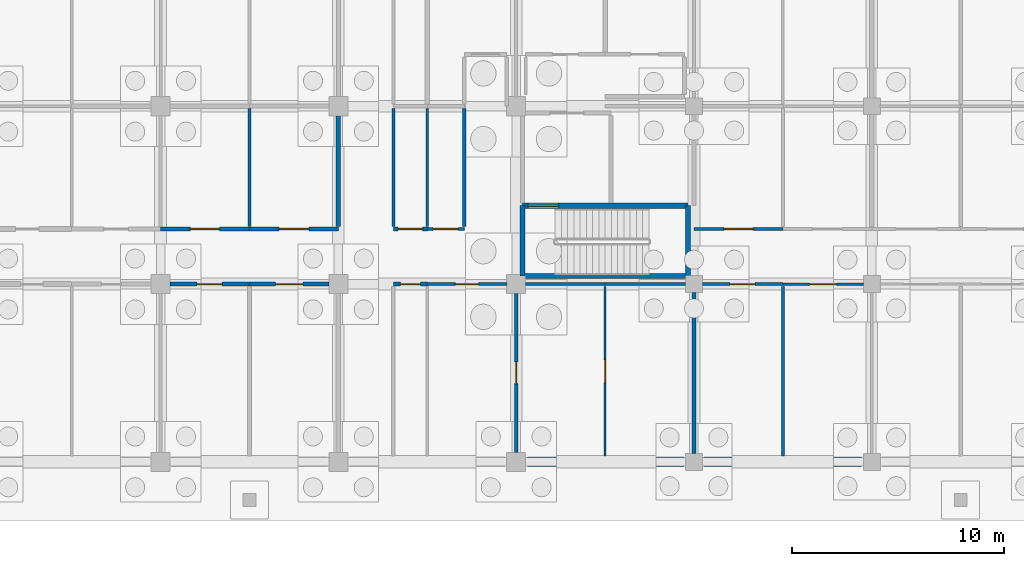
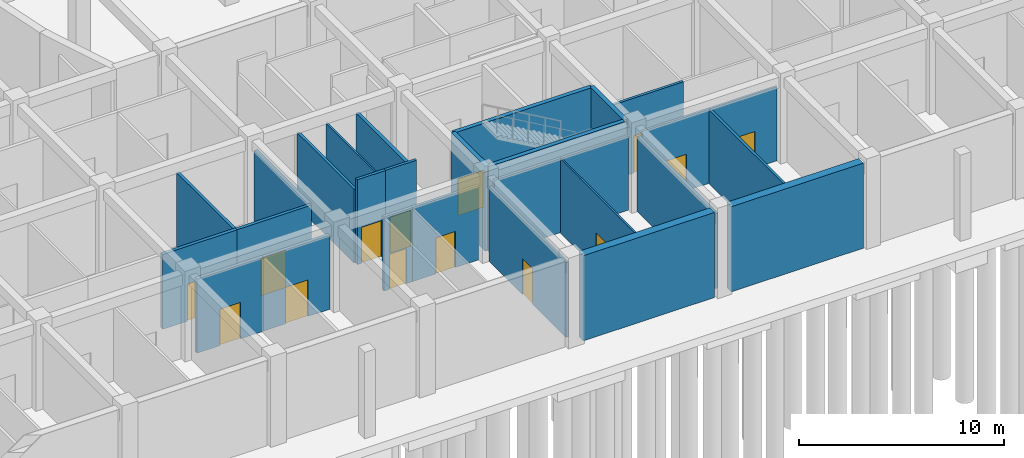
# One storey, part 45 of 65: 28 walls, 14 doors, 14 openings.
"""IFC4 building model written with IfcOpenShell, lengths in metres."""

from ifc_helpers import new_model, si_unit, direction, frame, frame_2d, origin, place, context, subcontext, project, spatial, rectangle, extrude, material, layer, layer_set, type_object, element, fill, save


model = new_model("IFC4")

# Units and contexts
model_context = context("Model", 3, precision=1e-05, world=origin(), true_north=direction((0.0, 1.0)))
body_context = subcontext(model_context, "Body", "Model", "MODEL_VIEW")
ifc_project = project(units=[si_unit("LENGTHUNIT", "METRE"), si_unit("AREAUNIT", "SQUARE_METRE"), si_unit("VOLUMEUNIT", "CUBIC_METRE"), si_unit("PLANEANGLEUNIT", "RADIAN"), si_unit("MASSUNIT", "GRAM", prefix="KILO")], contexts=[model_context])

# Site, building, storey
site_placement = place(None, origin())
site = spatial("IfcSite", under=ifc_project, at=site_placement, CompositionType="ELEMENT")
building_placement = place(site_placement, origin())
building = spatial("IfcBuilding", under=site, at=building_placement, Name="Bramfleet General Hospital", CompositionType="ELEMENT")
storey_placement = place(building_placement, frame((0.0, 0.0, -5.39990234375)))
storey = spatial("IfcBuildingStorey", under=building, at=storey_placement, Name="B1", CompositionType="ELEMENT", Elevation=-5.39990234375)

# Walls
ifc_material_1 = material(Name="Concrete C35/45", Category="concrete")
ifc_layer_1 = layer(ifc_material_1, 0.449951171875, Name="WT-EW-01")
ifc_layer_set_1 = layer_set([ifc_layer_1], Name="Concrete C35/45")
wall_type_1 = type_object("IfcWallType", Name="WT-EW-01", PredefinedType="SOLIDWALL", material=ifc_layer_set_1)
wall_1_placement = place(storey_placement, frame((159.125, 0.0, 0.0), z_axis=(0.0, 0.0, 1.0), x_axis=(-1.0, 0.0, 0.0)))
element("IfcWall", 1, at=wall_1_placement, inside=storey, type_object=wall_type_1, Name="B1 Waterproof Retaining Wall 67", PredefinedType="SOLIDWALL", context=body_context, shape_type="SweptSolid", body=[
    extrude(rectangle(XDim=7.449951171875, YDim=0.449951171875, at=frame_2d((3.72509765625, 0.0))), origin(), (0.0, 0.0, 1.0), 5.079833984375),
])
wall_2_placement = place(storey_placement, frame((150.72509765625, 0.0, 0.0), z_axis=(0.0, 0.0, 1.0), x_axis=(-1.0, 0.0, 0.0)))
element("IfcWall", 2, at=wall_2_placement, inside=storey, type_object=wall_type_1, Name="B1 Waterproof Retaining Wall 68", PredefinedType="SOLIDWALL", context=body_context, shape_type="SweptSolid", body=[
    extrude(rectangle(XDim=7.400146484375, YDim=0.449951171875, at=frame_2d((3.7001953125, 0.0))), origin(), (0.0, 0.0, 1.0), 5.079833984375),
])
ifc_layer_2 = layer(ifc_material_1, 0.205078125, Name="WT-IW-02")
ifc_layer_set_2 = layer_set([ifc_layer_2], Name="Concrete C35/45")
wall_type_2 = type_object("IfcWallType", Name="WT-IW-02", PredefinedType="PARTITIONING", material=ifc_layer_set_2)
wall_3_placement = place(storey_placement, frame((134.39990234375, 11.114990234375, 0.0), z_axis=(0.0, 0.0, 1.0), x_axis=(0.0, 1.0, 0.0)))
element("IfcWall", 3, at=wall_3_placement, inside=storey, type_object=wall_type_2, Name="B1 Interior Partition IW-B1-0554", PredefinedType="PARTITIONING", context=body_context, shape_type="SweptSolid", body=[
    extrude(rectangle(XDim=5.239990234375, YDim=0.205078125, at=frame_2d((2.6201171875, 0.0))), origin(), (0.0, 0.0, 1.0), 4.469970703125),
])

# Wall, opening, door
ifc_layer_3 = layer(ifc_material_1, 0.18994140625, Name="WT-IW-03")
ifc_layer_set_3 = layer_set([ifc_layer_3], Name="Concrete C35/45")
wall_type_3 = type_object("IfcWallType", Name="WT-IW-03", PredefinedType="PARTITIONING", material=ifc_layer_set_3)
wall_4_placement = place(storey_placement, frame((126.445068359375, 8.39990234375, 0.0), z_axis=(0.0, 0.0, 1.0), x_axis=(1.0, 0.0, 0.0)))
wall_4 = element("IfcWall", 4, at=wall_4_placement, inside=storey, type_object=wall_type_3, Name="B1 Interior Partition IW-B1-0015", PredefinedType="PARTITIONING", context=body_context, shape_type="SweptSolid", body=[
    extrude(rectangle(XDim=3.7548828125, YDim=0.18994140625, at=frame_2d((1.87744140625, 0.0))), origin(), (0.0, 0.0, 1.0), 4.419921875),
])
opening_1_placement = place(wall_4_placement, frame((1.28759765625, 0.0, 0.0)))
opening_1 = element("IfcOpeningElement", 5, at=opening_1_placement, cuts=wall_4, Name="Opening D0348", PredefinedType="OPENING", context=body_context, shape_type="SweptSolid", body=[
    extrude(rectangle(XDim=1.179931640625, YDim=2.179931640625, at=frame_2d((0.58984375, 1.08984375))), frame((0.0, 0.10498046875, 0.0), z_axis=(0.0, -1.0, 0.0), x_axis=(1.0, 0.0, 0.0)), (0.0, 0.0, 1.0), 0.2099609375),
])
ifc_material_2 = material(Name="Stainless steel and acoustic timber leaf", Category="steel")
door_type_1 = type_object("IfcDoorType", Name="DR-D-28", OperationType="NOTDEFINED", PredefinedType="DOOR", material=ifc_material_2)
door_1_placement = place(opening_1_placement, origin())
door_1 = element("IfcDoor", 6, at=door_1_placement, inside=storey, type_object=door_type_1, Name="Clean Medical Supply Store B1-1500 Door D0348", OperationType="SINGLE_SWING_LEFT", OverallHeight=2.179931640625, OverallWidth=1.179931640625, PredefinedType="DOOR", context=body_context, shape_type="SweptSolid", body=[
    extrude(rectangle(XDim=1.179931640625, YDim=2.179931640625, at=frame_2d((0.58984375, 1.08984375))), frame((0.0, 0.02490234375, 0.0), z_axis=(0.0, -1.0, 0.0), x_axis=(1.0, 0.0, 0.0)), (0.0, 0.0, 1.0), 0.050048828125),
])
fill(opening_1, door_1)

wall_5_placement = place(storey_placement, frame((126.0, 11.0, 0.0), z_axis=(0.0, 0.0, 1.0), x_axis=(1.0, 0.0, 0.0)))
wall_5 = element("IfcWall", 7, at=wall_5_placement, inside=storey, type_object=wall_type_3, Name="B1 Interior Partition IW-B1-0039", PredefinedType="PARTITIONING", context=body_context, shape_type="SweptSolid", body=[
    extrude(rectangle(XDim=4.199951171875, YDim=0.18994140625, at=frame_2d((2.10009765625, 0.0))), origin(), (0.0, 0.0, 1.0), 4.469970703125),
])
opening_2_placement = place(wall_5_placement, frame((1.409912109375, 0.0, 0.0)))
opening_2 = element("IfcOpeningElement", 8, at=opening_2_placement, cuts=wall_5, Name="Opening D0350", PredefinedType="OPENING", context=body_context, shape_type="SweptSolid", body=[
    extrude(rectangle(XDim=1.3798828125, YDim=2.219970703125, at=frame_2d((0.68994140625, 1.10986328125))), frame((0.0, 0.10498046875, 0.0), z_axis=(0.0, -1.0, 0.0), x_axis=(1.0, 0.0, 0.0)), (0.0, 0.0, 1.0), 0.2099609375),
])
door_type_2 = type_object("IfcDoorType", Name="DR-D-30", OperationType="NOTDEFINED", PredefinedType="DOOR", material=ifc_material_2)
door_2_placement = place(opening_2_placement, origin())
door_2 = element("IfcDoor", 9, at=door_2_placement, inside=storey, type_object=door_type_2, Name="Clean Medical Supply Store B1-1501 Door D0350", OperationType="SINGLE_SWING_LEFT", OverallHeight=2.219970703125, OverallWidth=1.3798828125, PredefinedType="DOOR", context=body_context, shape_type="SweptSolid", body=[
    extrude(rectangle(XDim=1.3798828125, YDim=2.219970703125, at=frame_2d((0.68994140625, 1.10986328125))), frame((0.0, 0.02490234375, 0.0), z_axis=(0.0, -1.0, 0.0), x_axis=(1.0, 0.0, 0.0)), (0.0, 0.0, 1.0), 0.050048828125),
])
fill(opening_2, door_2)

ifc_layer_4 = layer(ifc_material_1, 0.179931640625, Name="WT-IW-04")
ifc_layer_set_4 = layer_set([ifc_layer_4], Name="Concrete C35/45")
wall_type_4 = type_object("IfcWallType", Name="WT-IW-04", PredefinedType="PARTITIONING", material=ifc_layer_set_4)
wall_6_placement = place(storey_placement, frame((130.199951171875, 8.39990234375, 0.0), z_axis=(0.0, 0.0, 1.0), x_axis=(1.0, 0.0, 0.0)))
wall_6 = element("IfcWall", 10, at=wall_6_placement, inside=storey, type_object=wall_type_4, Name="B1 Interior Partition IW-B1-0016", PredefinedType="PARTITIONING", context=body_context, shape_type="SweptSolid", body=[
    extrude(rectangle(XDim=3.755126953125, YDim=0.179931640625, at=frame_2d((1.87744140625, 0.0))), origin(), (0.0, 0.0, 1.0), 4.419921875),
])
opening_3_placement = place(wall_6_placement, frame((1.237548828125, 0.0, 0.0)))
opening_3 = element("IfcOpeningElement", 11, at=opening_3_placement, cuts=wall_6, Name="Opening D0349", PredefinedType="OPENING", context=body_context, shape_type="SweptSolid", body=[
    extrude(rectangle(XDim=1.280029296875, YDim=2.179931640625, at=frame_2d((0.64013671875, 1.08984375))), frame((0.0, 0.099853515625, 0.0), z_axis=(0.0, -1.0, 0.0), x_axis=(1.0, 0.0, 0.0)), (0.0, 0.0, 1.0), 0.199951171875),
])
door_type_3 = type_object("IfcDoorType", Name="DR-D-29", OperationType="NOTDEFINED", PredefinedType="DOOR", material=ifc_material_2)
door_3_placement = place(opening_3_placement, origin())
door_3 = element("IfcDoor", 12, at=door_3_placement, inside=storey, type_object=door_type_3, Name="Clinical Engineering Workshop B1-1500 Door D0349", OperationType="SINGLE_SWING_RIGHT", OverallHeight=2.179931640625, OverallWidth=1.280029296875, PredefinedType="DOOR", context=body_context, shape_type="SweptSolid", body=[
    extrude(rectangle(XDim=1.280029296875, YDim=2.179931640625, at=frame_2d((0.64013671875, 1.08984375))), frame((0.0, 0.02490234375, 0.0), z_axis=(0.0, -1.0, 0.0), x_axis=(1.0, 0.0, 0.0)), (0.0, 0.0, 1.0), 0.050048828125),
])
fill(opening_3, door_3)

wall_7_placement = place(storey_placement, frame((130.199951171875, 11.0, 0.0), z_axis=(0.0, 0.0, 1.0), x_axis=(1.0, 0.0, 0.0)))
wall_7 = element("IfcWall", 13, at=wall_7_placement, inside=storey, type_object=wall_type_4, Name="B1 Interior Partition IW-B1-0040", PredefinedType="PARTITIONING", context=body_context, shape_type="SweptSolid", body=[
    extrude(rectangle(XDim=4.199951171875, YDim=0.179931640625, at=frame_2d((2.10009765625, 0.0))), origin(), (0.0, 0.0, 1.0), 4.469970703125),
])
opening_4_placement = place(wall_7_placement, frame((1.389892578125, 0.0, 0.0)))
opening_4 = element("IfcOpeningElement", 14, at=opening_4_placement, cuts=wall_7, Name="Opening D0351", PredefinedType="OPENING", context=body_context, shape_type="SweptSolid", body=[
    extrude(rectangle(XDim=1.419921875, YDim=2.219970703125, at=frame_2d((0.7099609375, 1.10986328125))), frame((0.0, 0.099853515625, 0.0), z_axis=(0.0, -1.0, 0.0), x_axis=(1.0, 0.0, 0.0)), (0.0, 0.0, 1.0), 0.199951171875),
])
door_type_4 = type_object("IfcDoorType", Name="DR-D-31", OperationType="NOTDEFINED", PredefinedType="DOOR", material=ifc_material_2)
door_4_placement = place(opening_4_placement, origin())
door_4 = element("IfcDoor", 15, at=door_4_placement, inside=storey, type_object=door_type_4, Name="Clinical Engineering Workshop B1-1501 Door D0351", OperationType="SINGLE_SWING_RIGHT", OverallHeight=2.219970703125, OverallWidth=1.419921875, PredefinedType="DOOR", context=body_context, shape_type="SweptSolid", body=[
    extrude(rectangle(XDim=1.419921875, YDim=2.219970703125, at=frame_2d((0.7099609375, 1.10986328125))), frame((0.0, 0.02490234375, 0.0), z_axis=(0.0, -1.0, 0.0), x_axis=(1.0, 0.0, 0.0)), (0.0, 0.0, 1.0), 0.050048828125),
])
fill(opening_4, door_4)

# Walls
wall_8_placement = place(storey_placement, frame((140.35009765625, 11.114990234375, 0.0), z_axis=(0.0, 0.0, 1.0), x_axis=(0.0, 1.0, 0.0)))
element("IfcWall", 16, at=wall_8_placement, inside=storey, type_object=wall_type_4, Name="B1 Interior Partition IW-B1-0568", PredefinedType="PARTITIONING", context=body_context, shape_type="SweptSolid", body=[
    extrude(rectangle(XDim=5.570068359375, YDim=0.179931640625, at=frame_2d((2.78515625, 0.0))), origin(), (0.0, 0.0, 1.0), 4.419921875),
])
wall_9_placement = place(storey_placement, frame((151.199951171875, 0.39501953125, 0.0), z_axis=(0.0, 0.0, 1.0), x_axis=(0.0, 1.0, 0.0)))
element("IfcWall", 17, at=wall_9_placement, inside=storey, type_object=wall_type_4, Name="B1 Interior Partition IW-B1-0580", PredefinedType="PARTITIONING", context=body_context, shape_type="SweptSolid", body=[
    extrude(rectangle(XDim=7.60986328125, YDim=0.179931640625, at=frame_2d((3.804931640625, 0.0))), origin(), (0.0, 0.0, 1.0), 4.469970703125),
])

# Wall, opening, door
ifc_material_3 = material(Name="Gypsum plasterboard on acoustic steel studs", Category="steel")
ifc_layer_5 = layer(ifc_material_3, 0.169921875, Name="WT-IW-05")
ifc_layer_set_5 = layer_set([ifc_layer_5], Name="Gypsum plasterboard on acoustic steel studs")
wall_type_5 = type_object("IfcWallType", Name="WT-IW-05", PredefinedType="PARTITIONING", material=ifc_layer_set_5)
wall_10_placement = place(storey_placement, frame((137.0, 8.39990234375, 0.0), z_axis=(0.0, 0.0, 1.0), x_axis=(1.0, 0.0, 0.0)))
wall_10 = element("IfcWall", 18, at=wall_10_placement, inside=storey, type_object=wall_type_5, Name="B1 Interior Partition IW-B1-0017", PredefinedType="PARTITIONING", context=body_context, shape_type="SweptSolid", body=[
    extrude(rectangle(XDim=1.60009765625, YDim=0.169921875, at=frame_2d((0.800048828125, 0.0))), origin(), (0.0, 0.0, 1.0), 4.419921875),
])
opening_5_placement = place(wall_10_placement, frame((0.324951171875, 0.0, 0.0)))
opening_5 = element("IfcOpeningElement", 19, at=opening_5_placement, cuts=wall_10, Name="Opening D0362", PredefinedType="OPENING", context=body_context, shape_type="SweptSolid", body=[
    extrude(rectangle(XDim=0.949951171875, YDim=2.10009765625, at=frame_2d((0.47509765625, 1.050048828125))), frame((0.0, 0.094970703125, 0.0), z_axis=(0.0, -1.0, 0.0), x_axis=(1.0, 0.0, 0.0)), (0.0, 0.0, 1.0), 0.18994140625),
])
door_type_5 = type_object("IfcDoorType", Name="DR-D-10", OperationType="NOTDEFINED", PredefinedType="DOOR", material=ifc_material_2)
door_5_placement = place(opening_5_placement, origin())
door_5 = element("IfcDoor", 20, at=door_5_placement, inside=storey, type_object=door_type_5, Name="Clean Medical Supply Store B1-1600 Door D0362", OperationType="SINGLE_SWING_LEFT", OverallHeight=2.10009765625, OverallWidth=0.949951171875, PredefinedType="DOOR", context=body_context, shape_type="SweptSolid", body=[
    extrude(rectangle(XDim=0.949951171875, YDim=2.10009765625, at=frame_2d((0.47509765625, 1.050048828125))), frame((0.0, 0.02490234375, 0.0), z_axis=(0.0, -1.0, 0.0), x_axis=(1.0, 0.0, 0.0)), (0.0, 0.0, 1.0), 0.050048828125),
])
fill(opening_5, door_5)

wall_11_placement = place(storey_placement, frame((137.0, 11.0, 0.0), z_axis=(0.0, 0.0, 1.0), x_axis=(1.0, 0.0, 0.0)))
wall_11 = element("IfcWall", 21, at=wall_11_placement, inside=storey, type_object=wall_type_5, Name="B1 Interior Partition IW-B1-0041", PredefinedType="PARTITIONING", context=body_context, shape_type="SweptSolid", body=[
    extrude(rectangle(XDim=1.60009765625, YDim=0.169921875, at=frame_2d((0.800048828125, 0.0))), origin(), (0.0, 0.0, 1.0), 5.06982421875),
])
opening_6_placement = place(wall_11_placement, frame((0.22509765625, 0.0, 0.0)))
opening_6 = element("IfcOpeningElement", 22, at=opening_6_placement, cuts=wall_11, Name="Opening D0364", PredefinedType="OPENING", context=body_context, shape_type="SweptSolid", body=[
    extrude(rectangle(XDim=1.14990234375, YDim=2.14990234375, at=frame_2d((0.574951171875, 1.074951171875))), frame((0.0, 0.094970703125, 0.0), z_axis=(0.0, -1.0, 0.0), x_axis=(1.0, 0.0, 0.0)), (0.0, 0.0, 1.0), 0.18994140625),
])
door_type_6 = type_object("IfcDoorType", Name="DR-D-12", OperationType="NOTDEFINED", PredefinedType="DOOR", material=ifc_material_2)
door_6_placement = place(opening_6_placement, origin())
door_6 = element("IfcDoor", 23, at=door_6_placement, inside=storey, type_object=door_type_6, Name="Clean Medical Supply Store B1-1601 Door D0364", OperationType="SINGLE_SWING_LEFT", OverallHeight=2.14990234375, OverallWidth=1.14990234375, PredefinedType="DOOR", context=body_context, shape_type="SweptSolid", body=[
    extrude(rectangle(XDim=1.14990234375, YDim=2.14990234375, at=frame_2d((0.574951171875, 1.074951171875))), frame((0.0, 0.02490234375, 0.0), z_axis=(0.0, -1.0, 0.0), x_axis=(1.0, 0.0, 0.0)), (0.0, 0.0, 1.0), 0.050048828125),
])
fill(opening_6, door_6)

ifc_layer_6 = layer(ifc_material_3, 0.159912109375, Name="WT-IW-06")
ifc_layer_set_6 = layer_set([ifc_layer_6], Name="Gypsum plasterboard on acoustic steel studs")
wall_type_6 = type_object("IfcWallType", Name="WT-IW-06", PredefinedType="PARTITIONING", material=ifc_layer_set_6)
wall_12_placement = place(storey_placement, frame((138.60009765625, 8.39990234375, 0.0), z_axis=(0.0, 0.0, 1.0), x_axis=(1.0, 0.0, 0.0)))
wall_12 = element("IfcWall", 24, at=wall_12_placement, inside=storey, type_object=wall_type_6, Name="B1 Interior Partition IW-B1-0018", PredefinedType="PARTITIONING", context=body_context, shape_type="SweptSolid", body=[
    extrude(rectangle(XDim=3.7548828125, YDim=0.159912109375, at=frame_2d((1.87744140625, 0.0))), origin(), (0.0, 0.0, 1.0), 4.419921875),
])
opening_7_placement = place(wall_12_placement, frame((1.327392578125, 0.0, 0.0)))
opening_7 = element("IfcOpeningElement", 25, at=opening_7_placement, cuts=wall_12, Name="Opening D0363", PredefinedType="OPENING", context=body_context, shape_type="SweptSolid", body=[
    extrude(rectangle(XDim=1.10009765625, YDim=2.14990234375, at=frame_2d((0.550048828125, 1.074951171875))), frame((0.0, 0.08984375, 0.0), z_axis=(0.0, -1.0, 0.0), x_axis=(1.0, 0.0, 0.0)), (0.0, 0.0, 1.0), 0.179931640625),
])
door_type_7 = type_object("IfcDoorType", Name="DR-D-11", OperationType="NOTDEFINED", PredefinedType="DOOR", material=ifc_material_2)
door_7_placement = place(opening_7_placement, origin())
door_7 = element("IfcDoor", 26, at=door_7_placement, inside=storey, type_object=door_type_7, Name="Clinical Engineering Workshop B1-1600 Door D0363", OperationType="SINGLE_SWING_RIGHT", OverallHeight=2.14990234375, OverallWidth=1.10009765625, PredefinedType="DOOR", context=body_context, shape_type="SweptSolid", body=[
    extrude(rectangle(XDim=1.10009765625, YDim=2.14990234375, at=frame_2d((0.550048828125, 1.074951171875))), frame((0.0, 0.02490234375, 0.0), z_axis=(0.0, -1.0, 0.0), x_axis=(1.0, 0.0, 0.0)), (0.0, 0.0, 1.0), 0.050048828125),
])
fill(opening_7, door_7)

wall_13_placement = place(storey_placement, frame((138.60009765625, 11.0, 0.0), z_axis=(0.0, 0.0, 1.0), x_axis=(1.0, 0.0, 0.0)))
wall_13 = element("IfcWall", 27, at=wall_13_placement, inside=storey, type_object=wall_type_6, Name="B1 Interior Partition IW-B1-0042", PredefinedType="PARTITIONING", context=body_context, shape_type="SweptSolid", body=[
    extrude(rectangle(XDim=1.75, YDim=0.159912109375, at=frame_2d((0.875, 0.0))), origin(), (0.0, 0.0, 1.0), 5.06982421875),
])
opening_8_placement = place(wall_13_placement, frame((0.27490234375, 0.0, 0.0)))
opening_8 = element("IfcOpeningElement", 28, at=opening_8_placement, cuts=wall_13, Name="Opening D0365", PredefinedType="OPENING", context=body_context, shape_type="SweptSolid", body=[
    extrude(rectangle(XDim=1.199951171875, YDim=2.14990234375, at=frame_2d((0.60009765625, 1.074951171875))), frame((0.0, 0.08984375, 0.0), z_axis=(0.0, -1.0, 0.0), x_axis=(1.0, 0.0, 0.0)), (0.0, 0.0, 1.0), 0.179931640625),
])
door_type_8 = type_object("IfcDoorType", Name="DR-D-13", OperationType="NOTDEFINED", PredefinedType="DOOR", material=ifc_material_2)
door_8_placement = place(opening_8_placement, origin())
door_8 = element("IfcDoor", 29, at=door_8_placement, inside=storey, type_object=door_type_8, Name="Clinical Engineering Workshop B1-1601 Door D0365", OperationType="SINGLE_SWING_RIGHT", OverallHeight=2.14990234375, OverallWidth=1.199951171875, PredefinedType="DOOR", context=body_context, shape_type="SweptSolid", body=[
    extrude(rectangle(XDim=1.199951171875, YDim=2.14990234375, at=frame_2d((0.60009765625, 1.074951171875))), frame((0.0, 0.02490234375, 0.0), z_axis=(0.0, -1.0, 0.0), x_axis=(1.0, 0.0, 0.0)), (0.0, 0.0, 1.0), 0.050048828125),
])
fill(opening_8, door_8)

# Walls
wall_14_placement = place(storey_placement, frame((130.199951171875, 11.114990234375, 0.0), z_axis=(0.0, 0.0, 1.0), x_axis=(0.0, 1.0, 0.0)))
element("IfcWall", 30, at=wall_14_placement, inside=storey, type_object=wall_type_6, Name="B1 Interior Partition IW-B1-0546", PredefinedType="PARTITIONING", context=body_context, shape_type="SweptSolid", body=[
    extrude(rectangle(XDim=5.570068359375, YDim=0.159912109375, at=frame_2d((2.78515625, 0.0))), origin(), (0.0, 0.0, 1.0), 4.419921875),
])
ifc_layer_7 = layer(ifc_material_3, 0.14990234375, Name="WT-IW-07")
ifc_layer_set_7 = layer_set([ifc_layer_7], Name="Gypsum plasterboard on acoustic steel studs")
wall_type_7 = type_object("IfcWallType", Name="WT-IW-07", PredefinedType="PARTITIONING", material=ifc_layer_set_7)
wall_15_placement = place(storey_placement, frame((143.2451171875, 8.39990234375, 0.0), z_axis=(0.0, 0.0, 1.0), x_axis=(1.0, 0.0, 0.0)))
element("IfcWall", 31, at=wall_15_placement, inside=storey, type_object=wall_type_7, Name="B1 Interior Partition IW-B1-0019", PredefinedType="PARTITIONING", context=body_context, shape_type="SweptSolid", body=[
    extrude(rectangle(XDim=3.7548828125, YDim=0.14990234375, at=frame_2d((1.87744140625, 0.0))), origin(), (0.0, 0.0, 1.0), 4.419921875),
])

# Wall, opening, door
wall_16_placement = place(storey_placement, frame((151.199951171875, 11.0, 0.0), z_axis=(0.0, 0.0, 1.0), x_axis=(1.0, 0.0, 0.0)))
wall_16 = element("IfcWall", 32, at=wall_16_placement, inside=storey, type_object=wall_type_7, Name="B1 Interior Partition IW-B1-0043", PredefinedType="PARTITIONING", context=body_context, shape_type="SweptSolid", body=[
    extrude(rectangle(XDim=4.199951171875, YDim=0.14990234375, at=frame_2d((2.10009765625, 0.0))), origin(), (0.0, 0.0, 1.0), 4.469970703125),
])
opening_9_placement = place(wall_16_placement, frame((1.409912109375, 0.0, 0.0)))
opening_9 = element("IfcOpeningElement", 33, at=opening_9_placement, cuts=wall_16, Name="Opening D0382", PredefinedType="OPENING", context=body_context, shape_type="SweptSolid", body=[
    extrude(rectangle(XDim=1.3798828125, YDim=2.219970703125, at=frame_2d((0.68994140625, 1.10986328125))), frame((0.0, 0.0849609375, 0.0), z_axis=(0.0, -1.0, 0.0), x_axis=(1.0, 0.0, 0.0)), (0.0, 0.0, 1.0), 0.169921875),
])
door_9_placement = place(opening_9_placement, origin())
door_9 = element("IfcDoor", 34, at=door_9_placement, inside=storey, type_object=door_type_2, Name="Clean Medical Supply Store B1-1801 Door D0382", OperationType="SINGLE_SWING_LEFT", OverallHeight=2.219970703125, OverallWidth=1.3798828125, PredefinedType="DOOR", context=body_context, shape_type="SweptSolid", body=[
    extrude(rectangle(XDim=1.3798828125, YDim=2.219970703125, at=frame_2d((0.68994140625, 1.10986328125))), frame((0.0, 0.02490234375, 0.0), z_axis=(0.0, -1.0, 0.0), x_axis=(1.0, 0.0, 0.0)), (0.0, 0.0, 1.0), 0.050048828125),
])
fill(opening_9, door_9)

# Wall
wall_17_placement = place(storey_placement, frame((137.0, 11.114990234375, 0.0), z_axis=(0.0, 0.0, 1.0), x_axis=(0.0, 1.0, 0.0)))
element("IfcWall", 35, at=wall_17_placement, inside=storey, type_object=wall_type_7, Name="B1 Interior Partition IW-B1-0559", PredefinedType="PARTITIONING", context=body_context, shape_type="SweptSolid", body=[
    extrude(rectangle(XDim=5.570068359375, YDim=0.14990234375, at=frame_2d((2.78515625, 0.0))), origin(), (0.0, 0.0, 1.0), 4.419921875),
])

# Wall, opening, door
wall_18_placement = place(storey_placement, frame((142.800048828125, 0.445068359375, 0.0), z_axis=(0.0, 0.0, 1.0), x_axis=(0.0, 1.0, 0.0)))
wall_18 = element("IfcWall", 36, at=wall_18_placement, inside=storey, type_object=wall_type_7, Name="B1 Interior Partition IW-B1-0571", PredefinedType="PARTITIONING", context=body_context, shape_type="SweptSolid", body=[
    extrude(rectangle(XDim=7.510009765625, YDim=0.14990234375, at=frame_2d((3.7548828125, 0.0))), origin(), (0.0, 0.0, 1.0), 4.469970703125),
])
opening_10_placement = place(wall_18_placement, frame((3.2451171875, 0.0, 0.0)))
opening_10 = element("IfcOpeningElement", 37, at=opening_10_placement, cuts=wall_18, Name="Opening D0373", PredefinedType="OPENING", context=body_context, shape_type="SweptSolid", body=[
    extrude(rectangle(XDim=1.02001953125, YDim=2.1201171875, at=frame_2d((0.510009765625, 1.06005859375))), frame((0.0, 0.0849609375, 0.0), z_axis=(0.0, -1.0, 0.0), x_axis=(1.0, 0.0, 0.0)), (0.0, 0.0, 1.0), 0.169921875),
])
door_type_9 = type_object("IfcDoorType", Name="DR-D-21", OperationType="NOTDEFINED", PredefinedType="DOOR", material=ifc_material_2)
door_10_placement = place(opening_10_placement, origin())
door_10 = element("IfcDoor", 38, at=door_10_placement, inside=storey, type_object=door_type_9, Name="Clean Medical Supply Store B1-1700 Door D0373", OperationType="SINGLE_SWING_RIGHT", OverallHeight=2.1201171875, OverallWidth=1.02001953125, PredefinedType="DOOR", context=body_context, shape_type="SweptSolid", body=[
    extrude(rectangle(XDim=1.02001953125, YDim=2.1201171875, at=frame_2d((0.510009765625, 1.06005859375))), frame((0.0, 0.02490234375, 0.0), z_axis=(0.0, -1.0, 0.0), x_axis=(1.0, 0.0, 0.0)), (0.0, 0.0, 1.0), 0.050048828125),
])
fill(opening_10, door_10)

# Walls
ifc_layer_8 = layer(ifc_material_3, 0.139892578125, Name="WT-IW-08")
ifc_layer_set_8 = layer_set([ifc_layer_8], Name="Gypsum plasterboard on acoustic steel studs")
wall_type_8 = type_object("IfcWallType", Name="WT-IW-08", PredefinedType="PARTITIONING", material=ifc_layer_set_8)
wall_19_placement = place(storey_placement, frame((147.0, 8.39990234375, 0.0), z_axis=(0.0, 0.0, 1.0), x_axis=(1.0, 0.0, 0.0)))
element("IfcWall", 39, at=wall_19_placement, inside=storey, type_object=wall_type_8, Name="B1 Interior Partition IW-B1-0020", PredefinedType="PARTITIONING", context=body_context, shape_type="SweptSolid", body=[
    extrude(rectangle(XDim=3.804931640625, YDim=0.139892578125, at=frame_2d((1.90234375, 0.0))), origin(), (0.0, 0.0, 1.0), 4.419921875),
])
wall_20_placement = place(storey_placement, frame((155.39990234375, 0.280029296875, 0.0), z_axis=(0.0, 0.0, 1.0), x_axis=(0.0, 1.0, 0.0)))
element("IfcWall", 40, at=wall_20_placement, inside=storey, type_object=wall_type_8, Name="B1 Interior Partition IW-B1-0584", PredefinedType="PARTITIONING", context=body_context, shape_type="SweptSolid", body=[
    extrude(rectangle(XDim=8.0048828125, YDim=0.139892578125, at=frame_2d((4.00244140625, 0.0))), origin(), (0.0, 0.0, 1.0), 4.419921875),
])

# Wall, opening, door
ifc_layer_9 = layer(ifc_material_3, 0.1298828125, Name="WT-IW-09")
ifc_layer_set_9 = layer_set([ifc_layer_9], Name="Gypsum plasterboard on acoustic steel studs")
wall_type_9 = type_object("IfcWallType", Name="WT-IW-09", PredefinedType="PARTITIONING", material=ifc_layer_set_9)
wall_21_placement = place(storey_placement, frame((151.594970703125, 8.39990234375, 0.0), z_axis=(0.0, 0.0, 1.0), x_axis=(1.0, 0.0, 0.0)))
wall_21 = element("IfcWall", 41, at=wall_21_placement, inside=storey, type_object=wall_type_9, Name="B1 Interior Partition IW-B1-0021", PredefinedType="PARTITIONING", context=body_context, shape_type="SweptSolid", body=[
    extrude(rectangle(XDim=3.804931640625, YDim=0.1298828125, at=frame_2d((1.90234375, 0.0))), origin(), (0.0, 0.0, 1.0), 4.419921875),
])
opening_11_placement = place(wall_21_placement, frame((1.3125, 0.0, 0.0)))
opening_11 = element("IfcOpeningElement", 42, at=opening_11_placement, cuts=wall_21, Name="Opening D0380", PredefinedType="OPENING", context=body_context, shape_type="SweptSolid", body=[
    extrude(rectangle(XDim=1.179931640625, YDim=2.179931640625, at=frame_2d((0.58984375, 1.08984375))), frame((0.0, 0.074951171875, 0.0), z_axis=(0.0, -1.0, 0.0), x_axis=(1.0, 0.0, 0.0)), (0.0, 0.0, 1.0), 0.14990234375),
])
door_11_placement = place(opening_11_placement, origin())
door_11 = element("IfcDoor", 43, at=door_11_placement, inside=storey, type_object=door_type_1, Name="Clean Medical Supply Store B1-1800 Door D0380", OperationType="SINGLE_SWING_LEFT", OverallHeight=2.179931640625, OverallWidth=1.179931640625, PredefinedType="DOOR", context=body_context, shape_type="SweptSolid", body=[
    extrude(rectangle(XDim=1.179931640625, YDim=2.179931640625, at=frame_2d((0.58984375, 1.08984375))), frame((0.0, 0.02490234375, 0.0), z_axis=(0.0, -1.0, 0.0), x_axis=(1.0, 0.0, 0.0)), (0.0, 0.0, 1.0), 0.050048828125),
])
fill(opening_11, door_11)

ifc_layer_10 = layer(ifc_material_3, 0.1201171875, Name="WT-IW-10")
ifc_layer_set_10 = layer_set([ifc_layer_10], Name="Gypsum plasterboard on acoustic steel studs")
wall_type_10 = type_object("IfcWallType", Name="WT-IW-10", PredefinedType="PARTITIONING", material=ifc_layer_set_10)
wall_22_placement = place(storey_placement, frame((155.39990234375, 8.39990234375, 0.0), z_axis=(0.0, 0.0, 1.0), x_axis=(1.0, 0.0, 0.0)))
wall_22 = element("IfcWall", 44, at=wall_22_placement, inside=storey, type_object=wall_type_10, Name="B1 Interior Partition IW-B1-0022", PredefinedType="PARTITIONING", context=body_context, shape_type="SweptSolid", body=[
    extrude(rectangle(XDim=3.80517578125, YDim=0.1201171875, at=frame_2d((1.902587890625, 0.0))), origin(), (0.0, 0.0, 1.0), 4.419921875),
])
opening_12_placement = place(wall_22_placement, frame((1.262451171875, 0.0, 0.0)))
opening_12 = element("IfcOpeningElement", 45, at=opening_12_placement, cuts=wall_22, Name="Opening D0381", PredefinedType="OPENING", context=body_context, shape_type="SweptSolid", body=[
    extrude(rectangle(XDim=1.280029296875, YDim=2.179931640625, at=frame_2d((0.64013671875, 1.08984375))), frame((0.0, 0.070068359375, 0.0), z_axis=(0.0, -1.0, 0.0), x_axis=(1.0, 0.0, 0.0)), (0.0, 0.0, 1.0), 0.14013671875),
])
door_12_placement = place(opening_12_placement, origin())
door_12 = element("IfcDoor", 46, at=door_12_placement, inside=storey, type_object=door_type_3, Name="Clinical Engineering Workshop B1-1800 Door D0381", OperationType="SINGLE_SWING_RIGHT", OverallHeight=2.179931640625, OverallWidth=1.280029296875, PredefinedType="DOOR", context=body_context, shape_type="SweptSolid", body=[
    extrude(rectangle(XDim=1.280029296875, YDim=2.179931640625, at=frame_2d((0.64013671875, 1.08984375))), frame((0.0, 0.02490234375, 0.0), z_axis=(0.0, -1.0, 0.0), x_axis=(1.0, 0.0, 0.0)), (0.0, 0.0, 1.0), 0.050048828125),
])
fill(opening_12, door_12)

# Wall
ifc_layer_11 = layer(ifc_material_3, 0.10009765625, Name="WT-IW-12")
ifc_layer_set_11 = layer_set([ifc_layer_11], Name="Gypsum plasterboard on acoustic steel studs")
wall_type_11 = type_object("IfcWallType", Name="WT-IW-12", PredefinedType="PARTITIONING", material=ifc_layer_set_11)
wall_23_placement = place(storey_placement, frame((138.60009765625, 11.114990234375, 0.0), z_axis=(0.0, 0.0, 1.0), x_axis=(0.0, 1.0, 0.0)))
element("IfcWall", 47, at=wall_23_placement, inside=storey, type_object=wall_type_11, Name="B1 Interior Partition IW-B1-0564", PredefinedType="PARTITIONING", context=body_context, shape_type="SweptSolid", body=[
    extrude(rectangle(XDim=5.570068359375, YDim=0.10009765625, at=frame_2d((2.78515625, 0.0))), origin(), (0.0, 0.0, 1.0), 4.419921875),
])

# Wall, opening, door
wall_24_placement = place(storey_placement, frame((147.0, 0.280029296875, 0.0), z_axis=(0.0, 0.0, 1.0), x_axis=(0.0, 1.0, 0.0)))
wall_24 = element("IfcWall", 48, at=wall_24_placement, inside=storey, type_object=wall_type_11, Name="B1 Interior Partition IW-B1-0576", PredefinedType="PARTITIONING", context=body_context, shape_type="SweptSolid", body=[
    extrude(rectangle(XDim=8.0048828125, YDim=0.10009765625, at=frame_2d((4.00244140625, 0.0))), origin(), (0.0, 0.0, 1.0), 4.419921875),
])
opening_13_placement = place(wall_24_placement, frame((3.46240234375, 0.0, 0.0)))
opening_13 = element("IfcOpeningElement", 49, at=opening_13_placement, cuts=wall_24, Name="Opening D0374", PredefinedType="OPENING", context=body_context, shape_type="SweptSolid", body=[
    extrude(rectangle(XDim=1.080078125, YDim=2.1201171875, at=frame_2d((0.5400390625, 1.06005859375))), frame((0.0, 0.06005859375, 0.0), z_axis=(0.0, -1.0, 0.0), x_axis=(1.0, 0.0, 0.0)), (0.0, 0.0, 1.0), 0.1201171875),
])
door_type_10 = type_object("IfcDoorType", Name="DR-D-22", OperationType="NOTDEFINED", PredefinedType="DOOR", material=ifc_material_2)
door_13_placement = place(opening_13_placement, origin())
door_13 = element("IfcDoor", 50, at=door_13_placement, inside=storey, type_object=door_type_10, Name="Clinical Engineering Workshop B1-1700 Door D0374", OperationType="SINGLE_SWING_LEFT", OverallHeight=2.1201171875, OverallWidth=1.080078125, PredefinedType="DOOR", context=body_context, shape_type="SweptSolid", body=[
    extrude(rectangle(XDim=1.080078125, YDim=2.1201171875, at=frame_2d((0.5400390625, 1.06005859375))), frame((0.0, 0.02490234375, 0.0), z_axis=(0.0, -1.0, 0.0), x_axis=(1.0, 0.0, 0.0)), (0.0, 0.0, 1.0), 0.050048828125),
])
fill(opening_13, door_13)

# Walls
ifc_material_4 = material(Name="Concrete C40/50", Category="concrete")
ifc_layer_12 = layer(ifc_material_4, 0.239990234375, Name="WT-SW-240")
ifc_layer_set_12 = layer_set([ifc_layer_12], Name="Concrete C40/50")
wall_type_12 = type_object("IfcWallType", Name="WT-SW-240", PredefinedType="SHEAR", material=ifc_layer_set_12)
wall_25_placement = place(storey_placement, frame((143.10009765625, 8.780029296875, 0.0), z_axis=(0.0, 0.0, 1.0), x_axis=(1.0, 0.0, 0.0)))
element("IfcWall", 51, at=wall_25_placement, inside=storey, type_object=wall_type_12, Name="B1 C10 South Stair Shear Wall", PredefinedType="SHEAR", context=body_context, shape_type="SweptSolid", body=[
    extrude(rectangle(XDim=7.81982421875, YDim=0.239990234375, at=frame_2d((3.909912109375, 0.0))), origin(), (0.0, 0.0, 1.0), 5.079833984375),
])
for number, where, z_axis, x_axis, name in (
    (52, (143.10009765625, 8.780029296875, 0.0), (0.0, 0.0, 1.0), (0.0, 1.0, 0.0), "B1 C10 West Stair Shear Wall"),
    (53, (150.919921875, 8.780029296875, 0.0), (0.0, 0.0, 1.0), (0.0, 1.0, 0.0), "B1 C10 East Stair Shear Wall"),
):
    element("IfcWall", number, at=place(storey_placement, frame(where, z_axis=z_axis, x_axis=x_axis)), inside=storey, type_object=wall_type_12, Name=name, PredefinedType="SHEAR", context=body_context, shape_type="SweptSolid", body=[
        extrude(rectangle(XDim=3.320068359375, YDim=0.239990234375, at=frame_2d((1.66015625, 0.0))), origin(), (0.0, 0.0, 1.0), 5.079833984375),
    ])

# Wall, opening, door
wall_26_placement = place(storey_placement, frame((143.10009765625, 12.10009765625, 0.0), z_axis=(0.0, 0.0, 1.0), x_axis=(1.0, 0.0, 0.0)))
wall_26 = element("IfcWall", 54, at=wall_26_placement, inside=storey, type_object=wall_type_12, Name="B1 C10 Stair-Lobby Shear Wall", PredefinedType="SHEAR", context=body_context, shape_type="SweptSolid", body=[
    extrude(rectangle(XDim=7.81982421875, YDim=0.239990234375, at=frame_2d((3.909912109375, 0.0))), origin(), (0.0, 0.0, 1.0), 5.079833984375),
])
opening_14_placement = place(wall_26_placement, frame((0.25, 0.0, 0.0)))
opening_14 = element("IfcOpeningElement", 55, at=opening_14_placement, cuts=wall_26, Name="Opening D0123", PredefinedType="OPENING", context=body_context, shape_type="SweptSolid", body=[
    extrude(rectangle(XDim=1.449951171875, YDim=2.199951171875, at=frame_2d((0.72509765625, 1.10009765625))), frame((0.0, 0.1298828125, 0.0), z_axis=(0.0, -1.0, 0.0), x_axis=(1.0, 0.0, 0.0)), (0.0, 0.0, 1.0), 0.260009765625),
])
door_type_11 = type_object("IfcDoorType", Name="DR-D-03", OperationType="NOTDEFINED", PredefinedType="DOOR", material=ifc_material_2)
door_14_placement = place(opening_14_placement, origin())
door_14 = element("IfcDoor", 56, at=door_14_placement, inside=storey, type_object=door_type_11, Name="B1 C10 Escape Stair Fire Door D0123", OperationType="SINGLE_SWING_RIGHT", OverallHeight=2.199951171875, OverallWidth=1.449951171875, PredefinedType="DOOR", context=body_context, shape_type="SweptSolid", body=[
    extrude(rectangle(XDim=1.449951171875, YDim=2.199951171875, at=frame_2d((0.72509765625, 1.10009765625))), frame((0.0, 0.02490234375, 0.0), z_axis=(0.0, -1.0, 0.0), x_axis=(1.0, 0.0, 0.0)), (0.0, 0.0, 1.0), 0.050048828125),
])
fill(opening_14, door_14)

save(model, "model.ifc")
